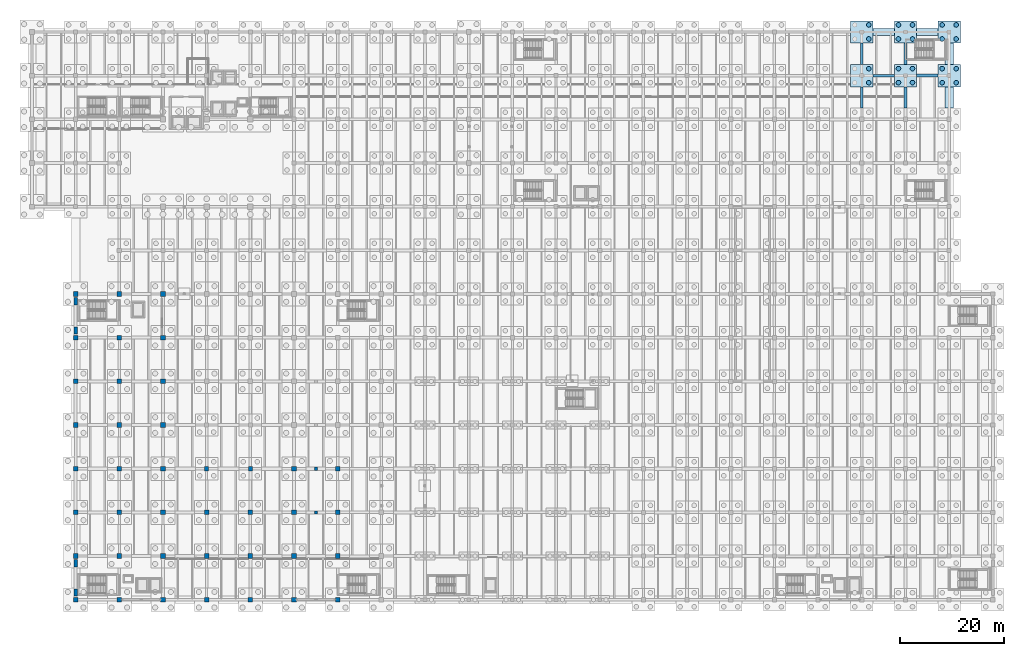
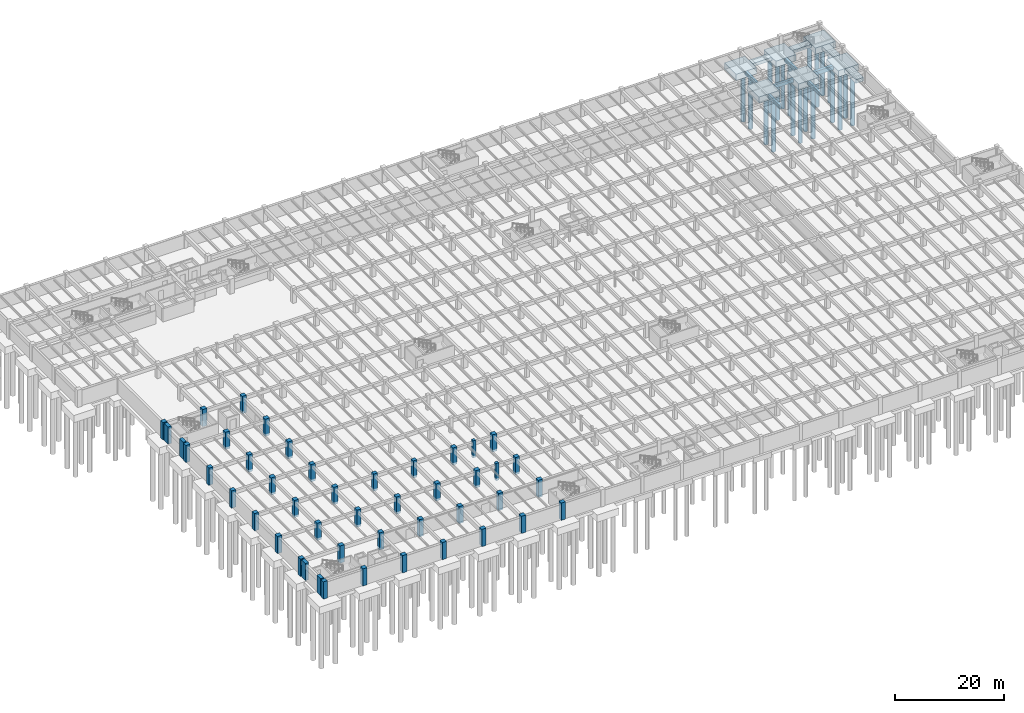
# One storey, part 13 of 70: 46 columns, 20 piles, 16 footings.
"""IFC4 building model written with IfcOpenShell, lengths in metres."""

from ifc_helpers import new_model, si_unit, direction, frame, origin, origin_2d, place, context, subcontext, project, spatial, rectangle, circle, extrude, material, material_profile, profile_set, type_object, element, save


model = new_model("IFC4")

# Units and contexts
model_context = context("Model", 3, precision=1e-05, world=origin(), true_north=direction((0.0, 1.0)))
body_context = subcontext(model_context, "Body", "Model", "MODEL_VIEW")
ifc_project = project(units=[si_unit("LENGTHUNIT", "METRE"), si_unit("AREAUNIT", "SQUARE_METRE"), si_unit("VOLUMEUNIT", "CUBIC_METRE"), si_unit("PLANEANGLEUNIT", "RADIAN"), si_unit("MASSUNIT", "GRAM", prefix="KILO")], contexts=[model_context])

# Site, building, storey
site_placement = place(None, origin())
site = spatial("IfcSite", under=ifc_project, at=site_placement, CompositionType="ELEMENT")
building_placement = place(site_placement, origin())
building = spatial("IfcBuilding", under=site, at=building_placement, Name="Cumbredor Promenade Congress Hotel", CompositionType="ELEMENT")
storey_placement = place(building_placement, frame((0.0, 0.0, -7.56005859375)))
storey = spatial("IfcBuildingStorey", under=building, at=storey_placement, Name="B02", CompositionType="ELEMENT", Elevation=-7.56005859375)

# Piles
ifc_material_1 = material(Name="Concrete C40/50", Category="concrete")
ifc_material_profile_1 = material_profile(ifc_material_1, circle(Radius=0.449951171875, at=origin_2d()), Name="PILE D900")
ifc_profile_set_1 = profile_set([ifc_material_profile_1], Name="Concrete C40/50")
pile_type = type_object("IfcPileType", Name="Bored Concrete Pile BP-02 900mm", PredefinedType="BORED", material=ifc_profile_set_1)
for number, where, z_axis, x_axis, name in (
    (1, (160.949951171875, 107.85009765625, -1.75), (0.0, 0.0, -1.0), (1.0, 0.0, 0.0), "Bored Pile PC-02-266.2"),
    (2, (160.949951171875, 110.550048828125, -1.75), (0.0, 0.0, -1.0), (1.0, 0.0, 0.0), "Bored Pile PC-02-266.4"),
    (3, (160.949951171875, 116.25, -1.75), (0.0, 0.0, -1.0), (1.0, 0.0, 0.0), "Bored Pile PC-02-267.2"),
    (4, (160.949951171875, 118.949951171875, -1.75), (0.0, 0.0, -1.0), (1.0, 0.0, 0.0), "Bored Pile PC-02-267.4"),
    (5, (166.64990234375, 107.85009765625, -1.75), (0.0, 0.0, -1.0), (1.0, 0.0, 0.0), "Bored Pile PC-02-280.1"),
    (6, (169.35009765625, 107.85009765625, -1.75), (0.0, 0.0, -1.0), (1.0, 0.0, 0.0), "Bored Pile PC-02-280.2"),
    (7, (166.64990234375, 110.550048828125, -1.75), (0.0, 0.0, -1.0), (1.0, 0.0, 0.0), "Bored Pile PC-02-280.3"),
    (8, (169.35009765625, 110.550048828125, -1.75), (0.0, 0.0, -1.0), (1.0, 0.0, 0.0), "Bored Pile PC-02-280.4"),
    (9, (166.64990234375, 116.25, -1.75), (0.0, 0.0, -1.0), (1.0, 0.0, 0.0), "Bored Pile PC-02-281.1"),
    (10, (169.35009765625, 116.25, -1.75), (0.0, 0.0, -1.0), (1.0, 0.0, 0.0), "Bored Pile PC-02-281.2"),
    (11, (166.64990234375, 118.949951171875, -1.75), (0.0, 0.0, -1.0), (1.0, 0.0, 0.0), "Bored Pile PC-02-281.3"),
    (12, (169.35009765625, 118.949951171875, -1.75), (0.0, 0.0, -1.0), (1.0, 0.0, 0.0), "Bored Pile PC-02-281.4"),
    (13, (175.050048828125, 107.85009765625, -1.75), (0.0, 0.0, -1.0), (1.0, 0.0, 0.0), "Bored Pile PC-02-294.1"),
    (14, (177.75, 107.85009765625, -1.75), (0.0, 0.0, -1.0), (1.0, 0.0, 0.0), "Bored Pile PC-02-294.2"),
    (15, (175.050048828125, 110.550048828125, -1.75), (0.0, 0.0, -1.0), (1.0, 0.0, 0.0), "Bored Pile PC-02-294.3"),
    (16, (177.75, 110.550048828125, -1.75), (0.0, 0.0, -1.0), (1.0, 0.0, 0.0), "Bored Pile PC-02-294.4"),
    (17, (175.050048828125, 116.25, -1.75), (0.0, 0.0, -1.0), (1.0, 0.0, 0.0), "Bored Pile PC-02-295.1"),
    (18, (177.75, 116.25, -1.75), (0.0, 0.0, -1.0), (1.0, 0.0, 0.0), "Bored Pile PC-02-295.2"),
    (19, (175.050048828125, 118.949951171875, -1.75), (0.0, 0.0, -1.0), (1.0, 0.0, 0.0), "Bored Pile PC-02-295.3"),
    (20, (177.75, 118.949951171875, -1.75), (0.0, 0.0, -1.0), (1.0, 0.0, 0.0), "Bored Pile PC-02-295.4"),
):
    element("IfcPile", number, at=place(storey_placement, frame(where, z_axis=z_axis, x_axis=x_axis)), inside=storey, type_object=pile_type, Name=name, PredefinedType="BORED", context=body_context, shape_type="SweptSolid", body=[
        extrude(circle(Radius=0.449951171875, at=origin_2d()), origin(), (0.0, 0.0, 1.0), 12.5),
    ])

# Footings
ifc_material_profile_2 = material_profile(ifc_material_1, rectangle(XDim=0.5, YDim=0.800048828125, at=origin_2d()), Name="FB 500x800")
ifc_profile_set_2 = profile_set([ifc_material_profile_2], Name="Concrete C40/50")
footing_type_1 = type_object("IfcFootingType", Name="Concrete Footing Tie Beam FB-01 500x800", PredefinedType="FOOTING_BEAM", material=ifc_profile_set_2)
footing_1_placement = place(storey_placement, frame((159.60009765625, 102.951904296875, -0.89990234375), z_axis=(0.0, 1.0, 0.0), x_axis=(-1.0, 0.0, 0.0)))
element("IfcFooting", 21, at=footing_1_placement, inside=storey, type_object=footing_type_1, Name="Seismic Footing Tie Beam FB-502", PredefinedType="FOOTING_BEAM", context=body_context, shape_type="SweptSolid", body=[
    extrude(rectangle(XDim=0.5, YDim=0.800048828125, at=origin_2d()), origin(), (0.0, 0.0, 1.0), 4.09619140625),
])
for number, where, z_axis, x_axis, name in (
    (22, (161.751953125, 109.199951171875, -0.89990234375), (1.0, 0.0, 0.0), (0.0, 1.0, 0.0), "Seismic Footing Tie Beam FB-503"),
    (23, (159.60009765625, 111.35205078125, -0.89990234375), (0.0, 1.0, 0.0), (-1.0, 0.0, 0.0), "Seismic Footing Tie Beam FB-504"),
):
    element("IfcFooting", number, at=place(storey_placement, frame(where, z_axis=z_axis, x_axis=x_axis)), inside=storey, type_object=footing_type_1, Name=name, PredefinedType="FOOTING_BEAM", context=body_context, shape_type="SweptSolid", body=[
        extrude(rectangle(XDim=0.5, YDim=0.800048828125, at=origin_2d()), origin(), (0.0, 0.0, 1.0), 4.095947265625),
    ])
footing_2_placement = place(storey_placement, frame((168.0, 102.951904296875, -0.89990234375), z_axis=(0.0, 1.0, 0.0), x_axis=(-1.0, 0.0, 0.0)))
element("IfcFooting", 24, at=footing_2_placement, inside=storey, type_object=footing_type_1, Name="Seismic Footing Tie Beam FB-529", PredefinedType="FOOTING_BEAM", context=body_context, shape_type="SweptSolid", body=[
    extrude(rectangle(XDim=0.5, YDim=0.800048828125, at=origin_2d()), origin(), (0.0, 0.0, 1.0), 4.09619140625),
])
footing_3_placement = place(storey_placement, frame((168.0, 111.35205078125, -0.89990234375), z_axis=(0.0, 1.0, 0.0), x_axis=(-1.0, 0.0, 0.0)))
element("IfcFooting", 25, at=footing_3_placement, inside=storey, type_object=footing_type_1, Name="Seismic Footing Tie Beam FB-531", PredefinedType="FOOTING_BEAM", context=body_context, shape_type="SweptSolid", body=[
    extrude(rectangle(XDim=0.5, YDim=0.800048828125, at=origin_2d()), origin(), (0.0, 0.0, 1.0), 4.095947265625),
])
ifc_material_profile_3 = material_profile(ifc_material_1, rectangle(XDim=0.60009765625, YDim=0.89990234375, at=origin_2d()), Name="FB 600x900")
ifc_profile_set_3 = profile_set([ifc_material_profile_3], Name="Concrete C40/50")
footing_type_2 = type_object("IfcFootingType", Name="Concrete Footing Tie Beam FB-02 600x900", PredefinedType="FOOTING_BEAM", material=ifc_profile_set_3)
footing_4_placement = place(storey_placement, frame((170.152099609375, 109.199951171875, -0.949951171875), z_axis=(1.0, 0.0, 0.0), x_axis=(0.0, 1.0, 0.0)))
element("IfcFooting", 26, at=footing_4_placement, inside=storey, type_object=footing_type_2, Name="Seismic Footing Tie Beam FB-530", PredefinedType="FOOTING_BEAM", context=body_context, shape_type="SweptSolid", body=[
    extrude(rectangle(XDim=0.60009765625, YDim=0.89990234375, at=origin_2d()), origin(), (0.0, 0.0, 1.0), 4.095947265625),
])
footing_type_3 = type_object("IfcFootingType", Name="Concrete Pile Cap PC-02 4300x4300x1400", PredefinedType="PILE_CAP", material=ifc_material_1)
for number, where, z_axis, x_axis, name in (
    (27, (159.60009765625, 109.199951171875, -1.89990234375), (0.0, 0.0, 1.0), (1.0, 0.0, 0.0), "Pile Cap PC-02 266"),
    (28, (159.60009765625, 117.60009765625, -1.89990234375), (0.0, 0.0, 1.0), (1.0, 0.0, 0.0), "Pile Cap PC-02 267"),
    (29, (168.0, 109.199951171875, -1.89990234375), (0.0, 0.0, 1.0), (1.0, 0.0, 0.0), "Pile Cap PC-02 280"),
    (30, (168.0, 117.60009765625, -1.89990234375), (0.0, 0.0, 1.0), (1.0, 0.0, 0.0), "Pile Cap PC-02 281"),
    (31, (176.39990234375, 109.199951171875, -1.89990234375), (0.0, 0.0, 1.0), (1.0, 0.0, 0.0), "Pile Cap PC-02 294"),
    (32, (176.39990234375, 117.60009765625, -1.89990234375), (0.0, 0.0, 1.0), (1.0, 0.0, 0.0), "Pile Cap PC-02 295"),
):
    element("IfcFooting", number, at=place(storey_placement, frame(where, z_axis=z_axis, x_axis=x_axis)), inside=storey, type_object=footing_type_3, Name=name, PredefinedType="PILE_CAP", context=body_context, shape_type="SweptSolid", body=[
        extrude(rectangle(XDim=4.300048828125, YDim=4.300048828125, at=origin_2d()), origin(), (0.0, 0.0, 1.0), 1.39990234375),
    ])
ifc_material_profile_4 = material_profile(ifc_material_1, rectangle(XDim=1.39990234375, YDim=0.699951171875, at=origin_2d()), Name="SF 1400x700")
ifc_profile_set_4 = profile_set([ifc_material_profile_4], Name="Concrete C40/50")
footing_type_4 = type_object("IfcFootingType", Name="Concrete Strip Footing SF-01 1400x700", PredefinedType="STRIP_FOOTING", material=ifc_profile_set_4)
for number, where, z_axis, x_axis, name in (
    (33, (161.751953125, 117.60009765625, -0.849853515625), (1.0, 0.0, 0.0), (0.0, 1.0, 0.0), "Perimeter Strip Footing SF-05 Seg 20"),
    (34, (170.152099609375, 117.60009765625, -0.849853515625), (1.0, 0.0, 0.0), (0.0, 1.0, 0.0), "Perimeter Strip Footing SF-05 Seg 21"),
):
    element("IfcFooting", number, at=place(storey_placement, frame(where, z_axis=z_axis, x_axis=x_axis)), inside=storey, type_object=footing_type_4, Name=name, PredefinedType="STRIP_FOOTING", context=body_context, shape_type="SweptSolid", body=[
        extrude(rectangle(XDim=1.39990234375, YDim=0.699951171875, at=origin_2d()), origin(), (0.0, 0.0, 1.0), 4.095947265625),
    ])
ifc_material_profile_5 = material_profile(ifc_material_1, rectangle(XDim=1.60009765625, YDim=0.800048828125, at=origin_2d()), Name="SF 1600x800")
ifc_profile_set_5 = profile_set([ifc_material_profile_5], Name="Concrete C40/50")
footing_type_5 = type_object("IfcFootingType", Name="Concrete Strip Footing SF-02 1600x800", PredefinedType="STRIP_FOOTING", material=ifc_profile_set_5)
footing_5_placement = place(storey_placement, frame((176.39990234375, 102.951904296875, -0.89990234375), z_axis=(0.0, 1.0, 0.0), x_axis=(-1.0, 0.0, 0.0)))
element("IfcFooting", 35, at=footing_5_placement, inside=storey, type_object=footing_type_5, Name="Perimeter Strip Footing SF-04 Seg 05", PredefinedType="STRIP_FOOTING", context=body_context, shape_type="SweptSolid", body=[
    extrude(rectangle(XDim=1.60009765625, YDim=0.800048828125, at=origin_2d()), origin(), (0.0, 0.0, 1.0), 4.09619140625),
])
footing_6_placement = place(storey_placement, frame((176.39990234375, 111.35205078125, -0.89990234375), z_axis=(0.0, 1.0, 0.0), x_axis=(-1.0, 0.0, 0.0)))
element("IfcFooting", 36, at=footing_6_placement, inside=storey, type_object=footing_type_5, Name="Perimeter Strip Footing SF-04 Seg 06", PredefinedType="STRIP_FOOTING", context=body_context, shape_type="SweptSolid", body=[
    extrude(rectangle(XDim=1.60009765625, YDim=0.800048828125, at=origin_2d()), origin(), (0.0, 0.0, 1.0), 4.095947265625),
])

# Columns
ifc_material_profile_6 = material_profile(ifc_material_1, rectangle(XDim=0.60009765625, YDim=0.60009765625, at=origin_2d()), Name="RC 600x600")
ifc_profile_set_6 = profile_set([ifc_material_profile_6], Name="Concrete C40/50")
column_type_1 = type_object("IfcColumnType", Name="COL-RC-600", PredefinedType="COLUMN", material=ifc_profile_set_6)
for number, where, z_axis, x_axis, name in (
    (37, (54.60009765625, 25.199951171875, -0.5), (0.0, 0.0, 1.0), (1.0, 0.0, 0.0), "B02 Balcony Tier Mid-Raker Column Y25"),
    (38, (54.60009765625, 33.60009765625, -0.5), (0.0, 0.0, 1.0), (1.0, 0.0, 0.0), "B02 Balcony Tier Mid-Raker Column Y33"),
):
    element("IfcColumn", number, at=place(storey_placement, frame(where, z_axis=z_axis, x_axis=x_axis)), inside=storey, type_object=column_type_1, Name=name, PredefinedType="COLUMN", context=body_context, shape_type="SweptSolid", body=[
        extrude(rectangle(XDim=0.60009765625, YDim=0.60009765625, at=origin_2d()), origin(), (0.0, 0.0, 1.0), 3.860107421875),
    ])
ifc_material_2 = material(Name="Concrete C50/60", Category="concrete")
ifc_material_profile_7 = material_profile(ifc_material_2, rectangle(XDim=0.800048828125, YDim=0.800048828125, at=origin_2d()), Name="RC 800x800")
ifc_profile_set_7 = profile_set([ifc_material_profile_7], Name="Concrete C50/60")
column_type_2 = type_object("IfcColumnType", Name="COL-RC-800", PredefinedType="COLUMN", material=ifc_profile_set_7)
for number, where, z_axis, x_axis, name in (
    (39, (33.60009765625, 33.60009765625, -0.5), (0.0, 0.0, 1.0), (1.0, 0.0, 0.0), "B02 Structural Column 049"),
    (40, (42.0, 33.60009765625, -0.5), (0.0, 0.0, 1.0), (1.0, 0.0, 0.0), "B02 Structural Column 062"),
):
    element("IfcColumn", number, at=place(storey_placement, frame(where, z_axis=z_axis, x_axis=x_axis)), inside=storey, type_object=column_type_2, Name=name, PredefinedType="COLUMN", context=body_context, shape_type="SweptSolid", body=[
        extrude(rectangle(XDim=0.800048828125, YDim=0.800048828125, at=origin_2d()), origin(), (0.0, 0.0, 1.0), 3.860107421875),
    ])
ifc_material_profile_8 = material_profile(ifc_material_2, rectangle(XDim=0.89990234375, YDim=0.89990234375, at=origin_2d()), Name="RC 900x900")
ifc_profile_set_8 = profile_set([ifc_material_profile_8], Name="Concrete C50/60")
column_type_3 = type_object("IfcColumnType", Name="COL-RC-900", PredefinedType="COLUMN", material=ifc_profile_set_8)
for number, where, z_axis, x_axis, name in (
    (41, (8.39990234375, 8.39990234375, -0.5), (0.0, 0.0, 1.0), (1.0, 0.0, 0.0), "B02 Structural Column 006"),
    (42, (8.39990234375, 16.800048828125, -0.5), (0.0, 0.0, 1.0), (1.0, 0.0, 0.0), "B02 Structural Column 007"),
    (43, (8.39990234375, 25.199951171875, -0.5), (0.0, 0.0, 1.0), (1.0, 0.0, 0.0), "B02 Structural Column 008"),
    (44, (8.39990234375, 33.60009765625, -0.5), (0.0, 0.0, 1.0), (1.0, 0.0, 0.0), "B02 Structural Column 009"),
    (45, (8.39990234375, 42.0, -0.5), (0.0, 0.0, 1.0), (1.0, 0.0, 0.0), "B02 Structural Column 010"),
    (46, (8.39990234375, 50.39990234375, -0.5), (0.0, 0.0, 1.0), (1.0, 0.0, 0.0), "B02 Structural Column 011"),
    (47, (8.39990234375, 58.800048828125, -0.5), (0.0, 0.0, 1.0), (1.0, 0.0, 0.0), "B02 Structural Column 012"),
    (48, (8.39990234375, 67.199951171875, -0.5), (0.0, 0.0, 1.0), (1.0, 0.0, 0.0), "B02 Structural Column 013"),
    (49, (16.800048828125, 8.39990234375, -0.5), (0.0, 0.0, 1.0), (1.0, 0.0, 0.0), "B02 Structural Column 019"),
    (50, (16.800048828125, 16.800048828125, -0.5), (0.0, 0.0, 1.0), (1.0, 0.0, 0.0), "B02 Structural Column 020"),
    (51, (16.800048828125, 25.199951171875, -0.5), (0.0, 0.0, 1.0), (1.0, 0.0, 0.0), "B02 Structural Column 021"),
    (52, (16.800048828125, 33.60009765625, -0.5), (0.0, 0.0, 1.0), (1.0, 0.0, 0.0), "B02 Structural Column 022"),
    (53, (16.800048828125, 42.0, -0.5), (0.0, 0.0, 1.0), (1.0, 0.0, 0.0), "B02 Structural Column 023"),
    (54, (16.800048828125, 50.39990234375, -0.5), (0.0, 0.0, 1.0), (1.0, 0.0, 0.0), "B02 Structural Column 024"),
    (55, (16.800048828125, 58.800048828125, -0.5), (0.0, 0.0, 1.0), (1.0, 0.0, 0.0), "B02 Structural Column 025"),
    (56, (16.800048828125, 67.199951171875, -0.5), (0.0, 0.0, 1.0), (1.0, 0.0, 0.0), "B02 Structural Column 026"),
    (57, (25.199951171875, 8.39990234375, -0.5), (0.0, 0.0, 1.0), (1.0, 0.0, 0.0), "B02 Structural Column 033"),
    (58, (25.199951171875, 16.800048828125, -0.5), (0.0, 0.0, 1.0), (1.0, 0.0, 0.0), "B02 Structural Column 034"),
    (59, (25.199951171875, 25.199951171875, -0.5), (0.0, 0.0, 1.0), (1.0, 0.0, 0.0), "B02 Structural Column 035"),
    (60, (25.199951171875, 33.60009765625, -0.5), (0.0, 0.0, 1.0), (1.0, 0.0, 0.0), "B02 Structural Column 036"),
    (61, (25.199951171875, 42.0, -0.5), (0.0, 0.0, 1.0), (1.0, 0.0, 0.0), "B02 Structural Column 037"),
    (62, (25.199951171875, 50.39990234375, -0.5), (0.0, 0.0, 1.0), (1.0, 0.0, 0.0), "B02 Structural Column 038"),
    (63, (25.199951171875, 58.800048828125, -0.5), (0.0, 0.0, 1.0), (1.0, 0.0, 0.0), "B02 Structural Column 039"),
    (64, (25.199951171875, 67.199951171875, -0.5), (0.0, 0.0, 1.0), (1.0, 0.0, 0.0), "B02 Structural Column 040"),
    (65, (33.60009765625, 8.39990234375, -0.5), (0.0, 0.0, 1.0), (1.0, 0.0, 0.0), "B02 Structural Column 046"),
    (66, (33.60009765625, 16.800048828125, -0.5), (0.0, 0.0, 1.0), (1.0, 0.0, 0.0), "B02 Structural Column 047"),
    (67, (33.60009765625, 25.199951171875, -0.5), (0.0, 0.0, 1.0), (1.0, 0.0, 0.0), "B02 Structural Column 048"),
    (68, (42.0, 8.39990234375, -0.5), (0.0, 0.0, 1.0), (1.0, 0.0, 0.0), "B02 Structural Column 059"),
    (69, (42.0, 16.800048828125, -0.5), (0.0, 0.0, 1.0), (1.0, 0.0, 0.0), "B02 Structural Column 060"),
    (70, (42.0, 25.199951171875, -0.5), (0.0, 0.0, 1.0), (1.0, 0.0, 0.0), "B02 Structural Column 061"),
    (71, (50.39990234375, 8.39990234375, -0.5), (0.0, 0.0, 1.0), (1.0, 0.0, 0.0), "B02 Structural Column 072"),
    (72, (50.39990234375, 16.800048828125, -0.5), (0.0, 0.0, 1.0), (1.0, 0.0, 0.0), "B02 Structural Column 073"),
    (73, (50.39990234375, 25.199951171875, -0.5), (0.0, 0.0, 1.0), (1.0, 0.0, 0.0), "B02 Structural Column 074"),
    (74, (50.39990234375, 33.60009765625, -0.5), (0.0, 0.0, 1.0), (1.0, 0.0, 0.0), "B02 Structural Column 075"),
    (75, (58.800048828125, 8.39990234375, -0.5), (0.0, 0.0, 1.0), (1.0, 0.0, 0.0), "B02 Structural Column 086"),
    (76, (58.800048828125, 16.800048828125, -0.5), (0.0, 0.0, 1.0), (1.0, 0.0, 0.0), "B02 Structural Column 087"),
    (77, (58.800048828125, 25.199951171875, -0.5), (0.0, 0.0, 1.0), (1.0, 0.0, 0.0), "B02 Structural Column 088"),
    (78, (58.800048828125, 33.60009765625, -0.5), (0.0, 0.0, 1.0), (1.0, 0.0, 0.0), "B02 Structural Column 089"),
):
    element("IfcColumn", number, at=place(storey_placement, frame(where, z_axis=z_axis, x_axis=x_axis)), inside=storey, type_object=column_type_3, Name=name, PredefinedType="COLUMN", context=body_context, shape_type="SweptSolid", body=[
        extrude(rectangle(XDim=0.89990234375, YDim=0.89990234375, at=origin_2d()), origin(), (0.0, 0.0, 1.0), 3.860107421875),
    ])
ifc_material_profile_9 = material_profile(ifc_material_2, rectangle(XDim=0.699951171875, YDim=1.39990234375, at=origin_2d()), Name="RC PILASTER 1400x700")
ifc_profile_set_9 = profile_set([ifc_material_profile_9], Name="Concrete C50/60")
column_type_4 = type_object("IfcColumnType", Name="PIL-RC-1400x700", PredefinedType="PILASTER", material=ifc_profile_set_9)
for number, where, z_axis, x_axis, name in (
    (79, (8.39990234375, 9.800048828125, -0.5), (0.0, 0.0, 1.0), (1.0, 0.0, 0.0), "B02 Acoustic Seismic Pilaster 001"),
    (80, (8.39990234375, 15.39990234375, -0.5), (0.0, 0.0, 1.0), (1.0, 0.0, 0.0), "B02 Acoustic Seismic Pilaster 002"),
    (81, (8.39990234375, 60.199951171875, -0.5), (0.0, 0.0, 1.0), (1.0, 0.0, 0.0), "B02 Acoustic Seismic Pilaster 003"),
    (82, (8.39990234375, 65.800048828125, -0.5), (0.0, 0.0, 1.0), (1.0, 0.0, 0.0), "B02 Acoustic Seismic Pilaster 004"),
):
    element("IfcColumn", number, at=place(storey_placement, frame(where, z_axis=z_axis, x_axis=x_axis)), inside=storey, type_object=column_type_4, Name=name, PredefinedType="PILASTER", context=body_context, shape_type="SweptSolid", body=[
        extrude(rectangle(XDim=0.699951171875, YDim=1.39990234375, at=origin_2d()), origin(), (0.0, 0.0, 1.0), 3.860107421875),
    ])

save(model, "model.ifc")
